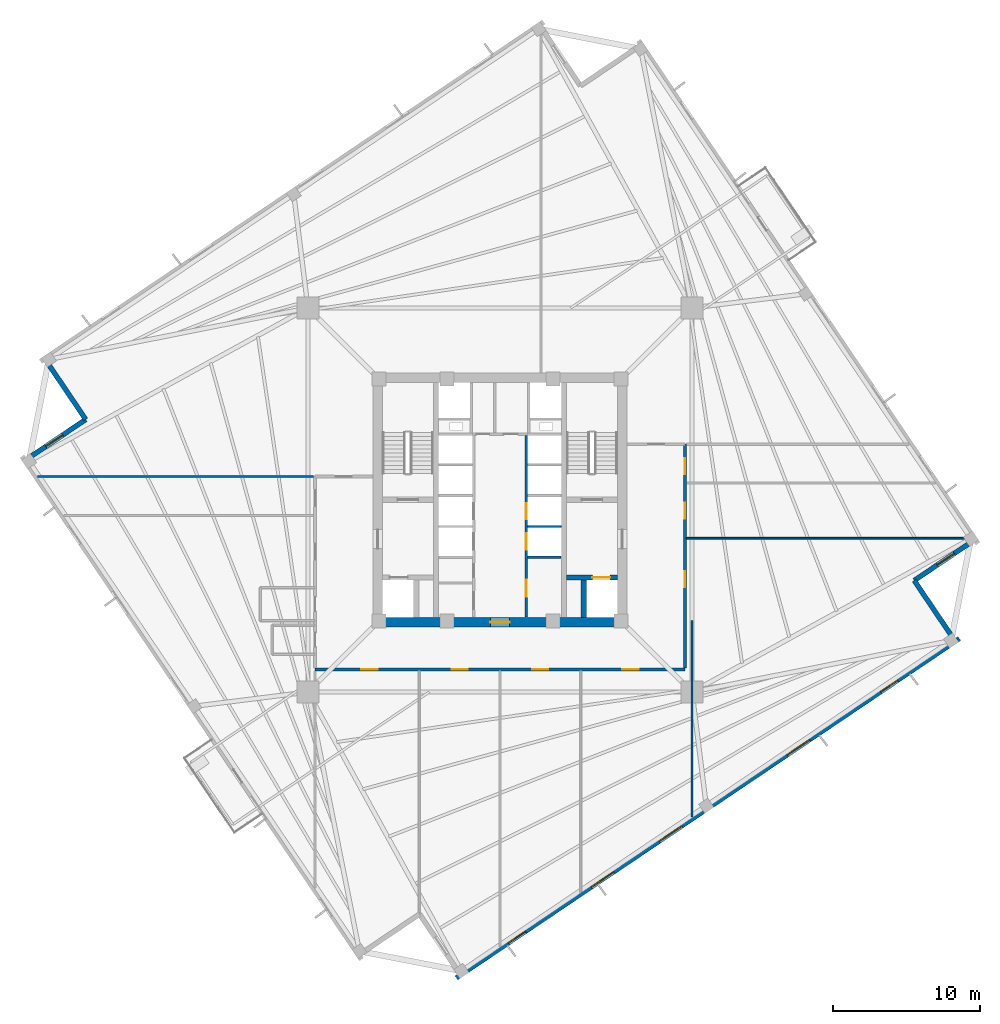
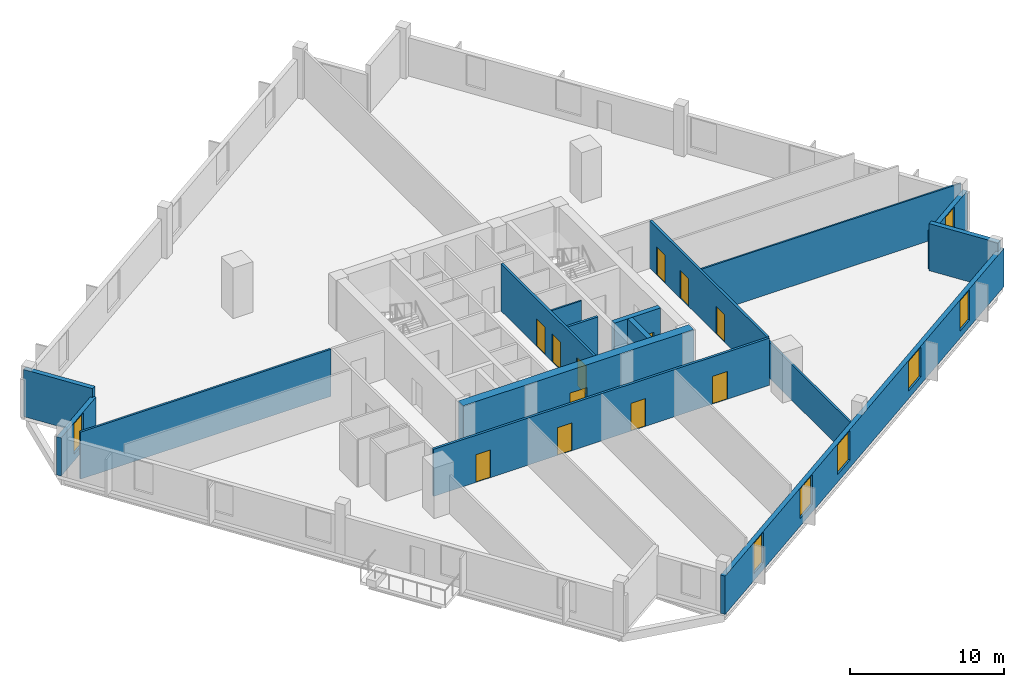
# One storey, part 4 of 9: 16 walls, 12 doors, 7 windows, 19 openings.
"""IFC4 building model written with IfcOpenShell, lengths in metres."""

from ifc_helpers import new_model, si_unit, direction, frame, frame_2d, origin, place, context, subcontext, project, spatial, rectangle, extrude, source, transform, mapped, material, layer, layer_set, type_object, element, fill, save


model = new_model("IFC4")

# Units and contexts
model_context = context("Model", 3, precision=1e-05, world=origin(), true_north=direction((0.0, 1.0)))
body_context = subcontext(model_context, "Body", "Model", "MODEL_VIEW")
ifc_project = project(units=[si_unit("LENGTHUNIT", "METRE"), si_unit("AREAUNIT", "SQUARE_METRE"), si_unit("VOLUMEUNIT", "CUBIC_METRE"), si_unit("PLANEANGLEUNIT", "RADIAN"), si_unit("MASSUNIT", "GRAM", prefix="KILO"), si_unit("THERMODYNAMICTEMPERATUREUNIT", "KELVIN")], contexts=[model_context])

# Site, building, storey
site_placement = place(None, origin())
site = spatial("IfcSite", under=ifc_project, at=site_placement, CompositionType="ELEMENT")
building_placement = place(site_placement, origin())
building = spatial("IfcBuilding", under=site, at=building_placement, Name="Kosmvard Interchange Tower", CompositionType="ELEMENT")
storey_placement = place(building_placement, frame((0.0, 0.0, 192.39990234375)))
storey = spatial("IfcBuildingStorey", under=building, at=storey_placement, Name="L46", CompositionType="ELEMENT", Elevation=192.39990234375)

# Walls
ifc_material_1 = material(Name="Acoustic gypsum partition system")
ifc_layer_1 = layer(ifc_material_1, 0.14990234375, Name="Acoustic gypsum partition system")
ifc_layer_set_1 = layer_set([ifc_layer_1], Name="Acoustic gypsum partition system")
wall_type_1 = type_object("IfcWallType", Name="Acoustic Suite & Meeting Partition 150", PredefinedType="PARTITIONING", material=ifc_layer_set_1)
wall_1_placement = place(storey_placement, frame((-31.506103515625, 1.60009765625, 0.0), z_axis=(0.0, 0.0, 1.0), x_axis=(1.0, 0.0, 0.0)))
element("IfcWall", 1, at=wall_1_placement, inside=storey, type_object=wall_type_1, Name="L46 Room Partition 03.1", PredefinedType="PARTITIONING", context=body_context, shape_type="SweptSolid", body=[
    extrude(rectangle(XDim=18.81103515625, YDim=0.14990234375, at=frame_2d((9.405517578125, 0.0))), origin(), (0.0, 0.0, 1.0), 3.739990234375),
])
wall_2_placement = place(storey_placement, frame((13.0810546875, -8.199951171875, 0.0), z_axis=(0.0, 0.0, 1.0), x_axis=(0.0, -1.0, 0.0)))
element("IfcWall", 2, at=wall_2_placement, inside=storey, type_object=wall_type_1, Name="L46 Room Partition 11.1", PredefinedType="PARTITIONING", context=body_context, shape_type="SweptSolid", body=[
    extrude(rectangle(XDim=13.403564453125, YDim=0.14990234375, at=frame_2d((6.70166015625, 0.0))), origin(), (0.0, 0.0, 1.0), 2.840087890625),
])

# Wall, openings, doors
ifc_material_2 = material(Name="Fire-rated gypsum partition system")
ifc_layer_2 = layer(ifc_material_2, 0.179931640625, Name="Fire-rated gypsum partition system")
ifc_layer_set_2 = layer_set([ifc_layer_2], Name="Fire-rated gypsum partition system")
wall_type_2 = type_object("IfcWallType", Name="Corridor & Hotel Compartment Partition 180", PredefinedType="PARTITIONING", material=ifc_layer_set_2)
wall_3_placement = place(storey_placement, frame((1.7900390625, -7.97998046875, 0.0), z_axis=(0.0, 0.0, 1.0), x_axis=(0.0, 1.0, 0.0)))
wall_3 = element("IfcWall", 3, at=wall_3_placement, inside=storey, type_object=wall_type_2, Name="L46 East Lift Bank Front Wall", PredefinedType="PARTITIONING", context=body_context, shape_type="SweptSolid", body=[
    extrude(rectangle(XDim=12.3798828125, YDim=0.179931640625, at=frame_2d((6.18994140625, 0.0))), origin(), (0.0, 0.0, 1.0), 3.739990234375),
])
opening_1_placement = place(wall_3_placement, frame((4.60009765625, 0.0, 0.0)))
opening_1 = element("IfcOpeningElement", 4, at=opening_1_placement, cuts=wall_3, Name="Opening LD-PL-M3-L46", PredefinedType="OPENING", context=body_context, shape_type="SweptSolid", body=[
    extrude(rectangle(XDim=1.10009765625, YDim=2.199951171875, at=frame_2d((0.550048828125, 1.10009765625))), frame((0.0, 0.10009765625, 0.0), z_axis=(0.0, -1.0, 0.0), x_axis=(1.0, 0.0, 0.0)), (0.0, 0.0, 1.0), 0.199951171875),
])
opening_2_placement = place(wall_3_placement, frame((6.659912109375, 0.0, 0.0)))
opening_2 = element("IfcOpeningElement", 5, at=opening_2_placement, cuts=wall_3, Name="Opening LD-PL-M4-L46", PredefinedType="OPENING", context=body_context, shape_type="SweptSolid", body=[
    extrude(rectangle(XDim=1.10009765625, YDim=2.199951171875, at=frame_2d((0.550048828125, 1.10009765625))), frame((0.0, 0.10009765625, 0.0), z_axis=(0.0, -1.0, 0.0), x_axis=(1.0, 0.0, 0.0)), (0.0, 0.0, 1.0), 0.199951171875),
])
opening_3_placement = place(wall_3_placement, frame((1.39990234375, 0.0, 0.0)))
opening_3 = element("IfcOpeningElement", 6, at=opening_3_placement, cuts=wall_3, Name="Opening L46-CD3", PredefinedType="OPENING", context=body_context, shape_type="SweptSolid", body=[
    extrude(rectangle(XDim=1.14990234375, YDim=2.25, at=frame_2d((0.574951171875, 1.125))), frame((0.0, 0.10009765625, 0.0), z_axis=(0.0, -1.0, 0.0), x_axis=(1.0, 0.0, 0.0)), (0.0, 0.0, 1.0), 0.199951171875),
])
ifc_material_3 = material(Name="Painted fire-rated steel leaf", Category="steel")
door_type_1 = type_object("IfcDoorType", Name="Plant & Riser Fire Door 1150x2250 EI60", OperationType="NOTDEFINED", PredefinedType="DOOR", material=ifc_material_3)
shared_shape_1 = source(origin(), body_context, "Body", "SweptSolid", [
    extrude(rectangle(XDim=1.14990234375, YDim=2.25, at=frame_2d((0.574951171875, 1.125))), frame((0.0, 0.02490234375, 0.0), z_axis=(0.0, -1.0, 0.0), x_axis=(1.0, 0.0, 0.0)), (0.0, 0.0, 1.0), 0.050048828125),
])
door_1_placement = place(opening_3_placement, frame((1.14990234375, 0.0, 0.0), z_axis=(0.0, 0.0, 1.0), x_axis=(-1.0, 0.0, 0.0)))
door_1 = element("IfcDoor", 7, at=door_1_placement, inside=storey, type_object=door_type_1, Name="L46 Core Telecoms Door", OperationType="SINGLE_SWING_RIGHT", OverallHeight=2.25, OverallWidth=1.14990234375, PredefinedType="DOOR", context=body_context, shape_type="MappedRepresentation", body=[
    mapped(shared_shape_1, transform((0.0, 0.0, 0.0), scale=1.0)),
])
fill(opening_3, door_1)
ifc_material_4 = material(Name="Brushed stainless steel sliding leaf", Category="steel")
door_type_2 = type_object("IfcDoorType", Name="Passenger Lift Sliding Landing Door 1100x2200 EI60", OperationType="DOUBLE_DOOR_SLIDING", PredefinedType="DOOR", material=ifc_material_4)
shared_shape_2 = source(origin(), body_context, "Body", "SweptSolid", [
    extrude(rectangle(XDim=1.10009765625, YDim=2.199951171875, at=frame_2d((0.550048828125, 1.10009765625))), frame((0.0, 0.02490234375, 0.0), z_axis=(0.0, -1.0, 0.0), x_axis=(1.0, 0.0, 0.0)), (0.0, 0.0, 1.0), 0.050048828125),
])
door_2_placement = place(opening_1_placement, origin())
door_2 = element("IfcDoor", 8, at=door_2_placement, inside=storey, type_object=door_type_2, Name="Lift PL-M3 Landing Door L46", OperationType="DOUBLE_DOOR_SLIDING", OverallHeight=2.199951171875, OverallWidth=1.10009765625, PredefinedType="DOOR", context=body_context, shape_type="MappedRepresentation", body=[
    mapped(shared_shape_2, transform((0.0, 0.0, 0.0), scale=1.0)),
])
fill(opening_1, door_2)
door_3_placement = place(opening_2_placement, origin())
door_3 = element("IfcDoor", 9, at=door_3_placement, inside=storey, type_object=door_type_2, Name="Lift PL-M4 Landing Door L46", OperationType="DOUBLE_DOOR_SLIDING", OverallHeight=2.199951171875, OverallWidth=1.10009765625, PredefinedType="DOOR", context=body_context, shape_type="MappedRepresentation", body=[
    mapped(shared_shape_2, transform((0.0, 0.0, 0.0), scale=1.0)),
])
fill(opening_2, door_3)

wall_4_placement = place(storey_placement, frame((-12.60009765625, -11.550048828125, 0.0), z_axis=(0.0, 0.0, 1.0), x_axis=(1.0, 0.0, 0.0)))
wall_4 = element("IfcWall", 10, at=wall_4_placement, inside=storey, type_object=wall_type_2, Name="L46 Corridor Wall CS", PredefinedType="PARTITIONING", context=body_context, shape_type="SweptSolid", body=[
    extrude(rectangle(XDim=25.2001953125, YDim=0.179931640625, at=frame_2d((12.60009765625, 0.0))), origin(), (0.0, 0.0, 1.0), 3.739990234375),
])
opening_4_placement = place(wall_4_placement, frame((3.16455078125, 0.0, 0.0)))
opening_4 = element("IfcOpeningElement", 11, at=opening_4_placement, cuts=wall_4, Name="Opening L46-D08", PredefinedType="OPENING", context=body_context, shape_type="SweptSolid", body=[
    extrude(rectangle(XDim=1.10009765625, YDim=2.199951171875, at=frame_2d((0.550048828125, 1.10009765625))), frame((0.0, 0.10009765625, 0.0), z_axis=(0.0, -1.0, 0.0), x_axis=(1.0, 0.0, 0.0)), (0.0, 0.0, 1.0), 0.199951171875),
])
opening_5_placement = place(wall_4_placement, frame((9.300048828125, 0.0, 0.0)))
opening_5 = element("IfcOpeningElement", 12, at=opening_5_placement, cuts=wall_4, Name="Opening L46-D09", PredefinedType="OPENING", context=body_context, shape_type="SweptSolid", body=[
    extrude(rectangle(XDim=1.10009765625, YDim=2.199951171875, at=frame_2d((0.550048828125, 1.10009765625))), frame((0.0, 0.10009765625, 0.0), z_axis=(0.0, -1.0, 0.0), x_axis=(1.0, 0.0, 0.0)), (0.0, 0.0, 1.0), 0.199951171875),
])
opening_6_placement = place(wall_4_placement, frame((14.800048828125, 0.0, 0.0)))
opening_6 = element("IfcOpeningElement", 13, at=opening_6_placement, cuts=wall_4, Name="Opening L46-D10", PredefinedType="OPENING", context=body_context, shape_type="SweptSolid", body=[
    extrude(rectangle(XDim=1.10009765625, YDim=2.199951171875, at=frame_2d((0.550048828125, 1.10009765625))), frame((0.0, 0.10009765625, 0.0), z_axis=(0.0, -1.0, 0.0), x_axis=(1.0, 0.0, 0.0)), (0.0, 0.0, 1.0), 0.199951171875),
])
opening_7_placement = place(wall_4_placement, frame((20.935546875, 0.0, 0.0)))
opening_7 = element("IfcOpeningElement", 14, at=opening_7_placement, cuts=wall_4, Name="Opening L46-D11", PredefinedType="OPENING", context=body_context, shape_type="SweptSolid", body=[
    extrude(rectangle(XDim=1.10009765625, YDim=2.199951171875, at=frame_2d((0.550048828125, 1.10009765625))), frame((0.0, 0.10009765625, 0.0), z_axis=(0.0, -1.0, 0.0), x_axis=(1.0, 0.0, 0.0)), (0.0, 0.0, 1.0), 0.199951171875),
])
ifc_material_5 = material(Name="Engineered oak fire-rated timber", Category="wood")
door_type_3 = type_object("IfcDoorType", Name="Office Suite Entrance Door 1100x2200 FD30S", OperationType="NOTDEFINED", PredefinedType="DOOR", material=ifc_material_5)
door_4_placement = place(opening_4_placement, frame((1.10009765625, 0.0, 0.0), z_axis=(0.0, 0.0, 1.0), x_axis=(-1.0, 0.0, 0.0)))
door_4 = element("IfcDoor", 15, at=door_4_placement, inside=storey, type_object=door_type_3, Name="L46 Boardroom 3 Door", OperationType="SINGLE_SWING_RIGHT", OverallHeight=2.199951171875, OverallWidth=1.10009765625, PredefinedType="DOOR", context=body_context, shape_type="MappedRepresentation", body=[
    mapped(shared_shape_2, transform((0.0, 0.0, 0.0), scale=1.0)),
])
fill(opening_4, door_4)
door_5_placement = place(opening_5_placement, frame((1.10009765625, 0.0, 0.0), z_axis=(0.0, 0.0, 1.0), x_axis=(-1.0, 0.0, 0.0)))
door_5 = element("IfcDoor", 16, at=door_5_placement, inside=storey, type_object=door_type_3, Name="L46 Seminar Room 4 Door", OperationType="SINGLE_SWING_LEFT", OverallHeight=2.199951171875, OverallWidth=1.10009765625, PredefinedType="DOOR", context=body_context, shape_type="MappedRepresentation", body=[
    mapped(shared_shape_2, transform((0.0, 0.0, 0.0), scale=1.0)),
])
fill(opening_5, door_5)
door_6_placement = place(opening_6_placement, frame((1.10009765625, 0.0, 0.0), z_axis=(0.0, 0.0, 1.0), x_axis=(-1.0, 0.0, 0.0)))
door_6 = element("IfcDoor", 17, at=door_6_placement, inside=storey, type_object=door_type_3, Name="L46 Video Briefing Room 5 Door", OperationType="SINGLE_SWING_RIGHT", OverallHeight=2.199951171875, OverallWidth=1.10009765625, PredefinedType="DOOR", context=body_context, shape_type="MappedRepresentation", body=[
    mapped(shared_shape_2, transform((0.0, 0.0, 0.0), scale=1.0)),
])
fill(opening_6, door_6)
door_7_placement = place(opening_7_placement, frame((1.10009765625, 0.0, 0.0), z_axis=(0.0, 0.0, 1.0), x_axis=(-1.0, 0.0, 0.0)))
door_7 = element("IfcDoor", 18, at=door_7_placement, inside=storey, type_object=door_type_3, Name="L46 Breakout Pantry Door", OperationType="SINGLE_SWING_LEFT", OverallHeight=2.199951171875, OverallWidth=1.10009765625, PredefinedType="DOOR", context=body_context, shape_type="MappedRepresentation", body=[
    mapped(shared_shape_2, transform((0.0, 0.0, 0.0), scale=1.0)),
])
fill(opening_7, door_7)

wall_5_placement = place(storey_placement, frame((12.60009765625, -11.449951171875, 0.0), z_axis=(0.0, 0.0, 1.0), x_axis=(0.0, 1.0, 0.0)))
wall_5 = element("IfcWall", 19, at=wall_5_placement, inside=storey, type_object=wall_type_2, Name="L46 Corridor Wall CE", PredefinedType="PARTITIONING", context=body_context, shape_type="SweptSolid", body=[
    extrude(rectangle(XDim=15.25, YDim=0.179931640625, at=frame_2d((7.625, 0.0))), origin(), (0.0, 0.0, 1.0), 3.739990234375),
])
opening_8_placement = place(wall_5_placement, frame((13.21044921875, 0.0, 0.0)))
opening_8 = element("IfcOpeningElement", 20, at=opening_8_placement, cuts=wall_5, Name="Opening L46-D06", PredefinedType="OPENING", context=body_context, shape_type="SweptSolid", body=[
    extrude(rectangle(XDim=1.10009765625, YDim=2.199951171875, at=frame_2d((0.550048828125, 1.10009765625))), frame((0.0, 0.10009765625, 0.0), z_axis=(0.0, -1.0, 0.0), x_axis=(1.0, 0.0, 0.0)), (0.0, 0.0, 1.0), 0.199951171875),
])
opening_9_placement = place(wall_5_placement, frame((5.5, 0.0, 0.0)))
opening_9 = element("IfcOpeningElement", 21, at=opening_9_placement, cuts=wall_5, Name="Opening L46-D12", PredefinedType="OPENING", context=body_context, shape_type="SweptSolid", body=[
    extrude(rectangle(XDim=1.10009765625, YDim=2.199951171875, at=frame_2d((0.550048828125, 1.10009765625))), frame((0.0, 0.10009765625, 0.0), z_axis=(0.0, -1.0, 0.0), x_axis=(1.0, 0.0, 0.0)), (0.0, 0.0, 1.0), 0.199951171875),
])
opening_10_placement = place(wall_5_placement, frame((10.175048828125, 0.0, 0.0)))
opening_10 = element("IfcOpeningElement", 22, at=opening_10_placement, cuts=wall_5, Name="Opening L46-D13", PredefinedType="OPENING", context=body_context, shape_type="SweptSolid", body=[
    extrude(rectangle(XDim=1.10009765625, YDim=2.199951171875, at=frame_2d((0.550048828125, 1.10009765625))), frame((0.0, 0.10009765625, 0.0), z_axis=(0.0, -1.0, 0.0), x_axis=(1.0, 0.0, 0.0)), (0.0, 0.0, 1.0), 0.199951171875),
])
door_8_placement = place(opening_8_placement, frame((1.10009765625, 0.0, 0.0), z_axis=(0.0, 0.0, 1.0), x_axis=(-1.0, 0.0, 0.0)))
door_8 = element("IfcDoor", 23, at=door_8_placement, inside=storey, type_object=door_type_3, Name="L46 East Port Briefing Room 2 Door", OperationType="SINGLE_SWING_RIGHT", OverallHeight=2.199951171875, OverallWidth=1.10009765625, PredefinedType="DOOR", context=body_context, shape_type="MappedRepresentation", body=[
    mapped(shared_shape_2, transform((0.0, 0.0, 0.0), scale=1.0)),
])
fill(opening_8, door_8)
door_9_placement = place(opening_9_placement, frame((1.10009765625, 0.0, 0.0), z_axis=(0.0, 0.0, 1.0), x_axis=(-1.0, 0.0, 0.0)))
door_9 = element("IfcDoor", 24, at=door_9_placement, inside=storey, type_object=door_type_3, Name="L46 Customs Archive Store Door", OperationType="SINGLE_SWING_RIGHT", OverallHeight=2.199951171875, OverallWidth=1.10009765625, PredefinedType="DOOR", context=body_context, shape_type="MappedRepresentation", body=[
    mapped(shared_shape_2, transform((0.0, 0.0, 0.0), scale=1.0)),
])
fill(opening_9, door_9)
door_10_placement = place(opening_10_placement, frame((1.10009765625, 0.0, 0.0), z_axis=(0.0, 0.0, 1.0), x_axis=(-1.0, 0.0, 0.0)))
door_10 = element("IfcDoor", 25, at=door_10_placement, inside=storey, type_object=door_type_3, Name="L46 East Trade Counsel Office Door", OperationType="SINGLE_SWING_LEFT", OverallHeight=2.199951171875, OverallWidth=1.10009765625, PredefinedType="DOOR", context=body_context, shape_type="MappedRepresentation", body=[
    mapped(shared_shape_2, transform((0.0, 0.0, 0.0), scale=1.0)),
])
fill(opening_10, door_10)

# Wall, opening, door
ifc_material_6 = material(Name="Concrete C70/85", Category="concrete")
ifc_layer_3 = layer(ifc_material_6, 0.64990234375, Name="Concrete C70/85")
ifc_layer_set_3 = layer_set([ifc_layer_3], Name="Concrete C70/85")
wall_type_3 = type_object("IfcWallType", Name="Mid Core Shear Wall 650 C70/85", PredefinedType="SHEAR", material=ifc_layer_set_3)
wall_6_placement = place(storey_placement, frame((-8.64990234375, -8.324951171875, 0.0), z_axis=(0.0, 0.0, 1.0), x_axis=(1.0, 0.0, 0.0)))
wall_6 = element("IfcWall", 26, at=wall_6_placement, inside=storey, type_object=wall_type_3, Name="L46 Core Shear Wall CW-S", PredefinedType="SHEAR", context=body_context, shape_type="SweptSolid", body=[
    extrude(rectangle(XDim=17.2998046875, YDim=0.64990234375, at=frame_2d((8.64990234375, 0.0))), origin(), (0.0, 0.0, 1.0), 4.0),
])
opening_11_placement = place(wall_6_placement, frame((8.0, 0.0, 0.0)))
opening_11 = element("IfcOpeningElement", 27, at=opening_11_placement, cuts=wall_6, Name="Opening L46-LD0", PredefinedType="OPENING", context=body_context, shape_type="SweptSolid", body=[
    extrude(rectangle(XDim=1.300048828125, YDim=2.199951171875, at=frame_2d((0.64990234375, 1.10009765625))), frame((0.0, 0.3349609375, 0.0), z_axis=(0.0, -1.0, 0.0), x_axis=(1.0, 0.0, 0.0)), (0.0, 0.0, 1.0), 0.669921875),
])
door_type_4 = type_object("IfcDoorType", Name="Firefighting Lobby Door 1300x2200 EI60", OperationType="NOTDEFINED", PredefinedType="DOOR", material=ifc_material_3)
shared_shape_3 = source(origin(), body_context, "Body", "SweptSolid", [
    extrude(rectangle(XDim=1.300048828125, YDim=2.199951171875, at=frame_2d((0.64990234375, 1.10009765625))), frame((0.0, 0.02490234375, 0.0), z_axis=(0.0, -1.0, 0.0), x_axis=(1.0, 0.0, 0.0)), (0.0, 0.0, 1.0), 0.050048828125),
])
door_11_placement = place(opening_11_placement, frame((1.300048828125, 0.0, 0.0), z_axis=(0.0, 0.0, 1.0), x_axis=(-1.0, 0.0, 0.0)))
door_11 = element("IfcDoor", 28, at=door_11_placement, inside=storey, type_object=door_type_4, Name="L46 Passenger Lift Lobby South Door", OperationType="SINGLE_SWING_LEFT", OverallHeight=2.199951171875, OverallWidth=1.300048828125, PredefinedType="DOOR", context=body_context, shape_type="MappedRepresentation", body=[
    mapped(shared_shape_3, transform((0.0, 0.0, 0.0), scale=1.0)),
])
fill(opening_11, door_11)

# Wall, openings, windows
ifc_material_7 = material(Name="Precast concrete C45/55", Category="concrete")
ifc_layer_4 = layer(ifc_material_7, 0.340087890625, Name="Precast concrete C45/55")
ifc_layer_set_4 = layer_set([ifc_layer_4], Name="Precast concrete C45/55")
wall_type_4 = type_object("IfcWallType", Name="Mid Tower Precast Pier Wall 340 C45/55", PredefinedType="STANDARD", material=ifc_layer_set_4)
wall_7_placement = place(storey_placement, frame((-2.971923828125, -32.55810546875, 0.0), z_axis=(0.0, 0.0, 1.0), x_axis=(0.829036218961, 0.559194910251, 0.0)))
wall_7 = element("IfcWall", 29, at=wall_7_placement, inside=storey, type_object=wall_type_4, Name="L46 Precast Facade Wall F-S", PredefinedType="STANDARD", context=body_context, shape_type="SweptSolid", body=[
    extrude(rectangle(XDim=41.340087890625, YDim=0.340087890625, at=frame_2d((20.669921875, 0.0))), origin(), (0.0, 0.0, 1.0), 3.0400390625),
])
opening_12_placement = place(wall_7_placement, frame((4.2607421875, 0.0, 0.56005859375)))
opening_12 = element("IfcOpeningElement", 30, at=opening_12_placement, cuts=wall_7, Name="Opening L46-W01", PredefinedType="OPENING", context=body_context, shape_type="SweptSolid", body=[
    extrude(rectangle(XDim=1.39990234375, YDim=2.39990234375, at=frame_2d((0.699951171875, 1.199951171875))), frame((0.0, 0.18017578125, 0.0), z_axis=(0.0, -1.0, 0.0), x_axis=(1.0, 0.0, 0.0)), (0.0, 0.0, 1.0), 0.360107421875),
])
opening_13_placement = place(wall_7_placement, frame((11.063720703125, 0.0, 0.610107421875)))
opening_13 = element("IfcOpeningElement", 31, at=opening_13_placement, cuts=wall_7, Name="Opening L46-W02", PredefinedType="OPENING", context=body_context, shape_type="SweptSolid", body=[
    extrude(rectangle(XDim=1.85009765625, YDim=2.35009765625, at=frame_2d((0.925048828125, 1.175048828125))), frame((0.0, 0.18017578125, 0.0), z_axis=(0.0, -1.0, 0.0), x_axis=(1.0, 0.0, 0.0)), (0.0, 0.0, 1.0), 0.360107421875),
])
opening_14_placement = place(wall_7_placement, frame((16.668212890625, 0.0, 0.610107421875)))
opening_14 = element("IfcOpeningElement", 32, at=opening_14_placement, cuts=wall_7, Name="Opening L46-W03", PredefinedType="OPENING", context=body_context, shape_type="SweptSolid", body=[
    extrude(rectangle(XDim=1.85009765625, YDim=2.35009765625, at=frame_2d((0.925048828125, 1.175048828125))), frame((0.0, 0.18017578125, 0.0), z_axis=(0.0, -1.0, 0.0), x_axis=(1.0, 0.0, 0.0)), (0.0, 0.0, 1.0), 0.360107421875),
])
opening_15_placement = place(wall_7_placement, frame((27.186279296875, 0.0, 0.610107421875)))
opening_15 = element("IfcOpeningElement", 33, at=opening_15_placement, cuts=wall_7, Name="Opening L46-W04", PredefinedType="OPENING", context=body_context, shape_type="SweptSolid", body=[
    extrude(rectangle(XDim=1.85009765625, YDim=2.35009765625, at=frame_2d((0.925048828125, 1.175048828125))), frame((0.0, 0.18017578125, 0.0), z_axis=(0.0, -1.0, 0.0), x_axis=(1.0, 0.0, 0.0)), (0.0, 0.0, 1.0), 0.360107421875),
])
opening_16_placement = place(wall_7_placement, frame((34.852294921875, 0.0, 0.56005859375)))
opening_16 = element("IfcOpeningElement", 34, at=opening_16_placement, cuts=wall_7, Name="Opening L46-W05", PredefinedType="OPENING", context=body_context, shape_type="SweptSolid", body=[
    extrude(rectangle(XDim=1.39990234375, YDim=2.39990234375, at=frame_2d((0.699951171875, 1.199951171875))), frame((0.0, 0.18017578125, 0.0), z_axis=(0.0, -1.0, 0.0), x_axis=(1.0, 0.0, 0.0)), (0.0, 0.0, 1.0), 0.360107421875),
])
ifc_material_8 = material(Name="Low-E solar-control double glazing", Category="glass")
window_type_1 = type_object("IfcWindowType", Name="Notched Corner Feature Window 1400x2400", PartitioningType="SINGLE_PANEL", PredefinedType="WINDOW", material=ifc_material_8)
shared_shape_4 = source(origin(), body_context, "Body", "SweptSolid", [
    extrude(rectangle(XDim=1.39990234375, YDim=2.39990234375, at=frame_2d((0.699951171875, 1.199951171875))), frame((0.0, 0.030029296875, 0.0), z_axis=(0.0, -1.0, 0.0), x_axis=(1.0, 0.0, 0.0)), (0.0, 0.0, 1.0), 0.06005859375),
])
window_1_placement = place(opening_12_placement, origin())
window_1 = element("IfcWindow", 35, at=window_1_placement, inside=storey, type_object=window_type_1, Name="L46 Facade Punched Window 01", OverallHeight=2.39990234375, OverallWidth=1.39990234375, PartitioningType="SINGLE_PANEL", PredefinedType="WINDOW", context=body_context, shape_type="MappedRepresentation", body=[
    mapped(shared_shape_4, transform((0.0, 0.0, 0.0), scale=1.0)),
])
fill(opening_12, window_1)
window_2_placement = place(opening_16_placement, origin())
window_2 = element("IfcWindow", 36, at=window_2_placement, inside=storey, type_object=window_type_1, Name="L46 Facade Punched Window 05", OverallHeight=2.39990234375, OverallWidth=1.39990234375, PartitioningType="SINGLE_PANEL", PredefinedType="WINDOW", context=body_context, shape_type="MappedRepresentation", body=[
    mapped(shared_shape_4, transform((0.0, 0.0, 0.0), scale=1.0)),
])
fill(opening_16, window_2)
window_type_2 = type_object("IfcWindowType", Name="Zone 3 Office Punched Window 1850x2350", PartitioningType="SINGLE_PANEL", PredefinedType="WINDOW", material=ifc_material_8)
shared_shape_5 = source(origin(), body_context, "Body", "SweptSolid", [
    extrude(rectangle(XDim=1.85009765625, YDim=2.35009765625, at=frame_2d((0.925048828125, 1.175048828125))), frame((0.0, 0.030029296875, 0.0), z_axis=(0.0, -1.0, 0.0), x_axis=(1.0, 0.0, 0.0)), (0.0, 0.0, 1.0), 0.06005859375),
])
window_3_placement = place(opening_13_placement, origin())
window_3 = element("IfcWindow", 37, at=window_3_placement, inside=storey, type_object=window_type_2, Name="L46 Facade Punched Window 02", OverallHeight=2.35009765625, OverallWidth=1.85009765625, PartitioningType="SINGLE_PANEL", PredefinedType="WINDOW", context=body_context, shape_type="MappedRepresentation", body=[
    mapped(shared_shape_5, transform((0.0, 0.0, 0.0), scale=1.0)),
])
fill(opening_13, window_3)
window_4_placement = place(opening_14_placement, origin())
window_4 = element("IfcWindow", 38, at=window_4_placement, inside=storey, type_object=window_type_2, Name="L46 Facade Punched Window 03", OverallHeight=2.35009765625, OverallWidth=1.85009765625, PartitioningType="SINGLE_PANEL", PredefinedType="WINDOW", context=body_context, shape_type="MappedRepresentation", body=[
    mapped(shared_shape_5, transform((0.0, 0.0, 0.0), scale=1.0)),
])
fill(opening_14, window_4)
window_5_placement = place(opening_15_placement, origin())
window_5 = element("IfcWindow", 39, at=window_5_placement, inside=storey, type_object=window_type_2, Name="L46 Facade Punched Window 04", OverallHeight=2.35009765625, OverallWidth=1.85009765625, PartitioningType="SINGLE_PANEL", PredefinedType="WINDOW", context=body_context, shape_type="MappedRepresentation", body=[
    mapped(shared_shape_5, transform((0.0, 0.0, 0.0), scale=1.0)),
])
fill(opening_15, window_5)

# Wall
wall_8_placement = place(storey_placement, frame((31.018798828125, -9.631103515625, 0.0), z_axis=(0.0, 0.0, 1.0), x_axis=(-0.559210350234, 0.829025804298, 0.0)))
element("IfcWall", 40, at=wall_8_placement, inside=storey, type_object=wall_type_4, Name="L46 Precast Facade Wall N-SE1", PredefinedType="STANDARD", context=body_context, shape_type="SweptSolid", body=[
    extrude(rectangle(XDim=5.000244140625, YDim=0.340087890625, at=frame_2d((2.5, 0.0))), origin(), (0.0, 0.0, 1.0), 3.739990234375),
])

# Wall, opening, window
wall_9_placement = place(storey_placement, frame((28.22265625, -5.48583984375, 0.0), z_axis=(0.0, 0.0, 1.0), x_axis=(0.82905227345, 0.559171107879, 0.0)))
wall_9 = element("IfcWall", 41, at=wall_9_placement, inside=storey, type_object=wall_type_4, Name="L46 Precast Facade Wall N-SE2", PredefinedType="STANDARD", context=body_context, shape_type="SweptSolid", body=[
    extrude(rectangle(XDim=5.169921875, YDim=0.340087890625, at=frame_2d((2.5849609375, 0.0))), origin(), (0.0, 0.0, 1.0), 3.0400390625),
])
opening_17_placement = place(wall_9_placement, frame((1.885009765625, 0.0, 0.56005859375)))
opening_17 = element("IfcOpeningElement", 42, at=opening_17_placement, cuts=wall_9, Name="Opening L46-W21", PredefinedType="OPENING", context=body_context, shape_type="SweptSolid", body=[
    extrude(rectangle(XDim=1.39990234375, YDim=2.39990234375, at=frame_2d((0.699951171875, 1.199951171875))), frame((0.0, 0.18017578125, 0.0), z_axis=(0.0, -1.0, 0.0), x_axis=(1.0, 0.0, 0.0)), (0.0, 0.0, 1.0), 0.360107421875),
])
window_6_placement = place(opening_17_placement, origin())
window_6 = element("IfcWindow", 43, at=window_6_placement, inside=storey, type_object=window_type_1, Name="L46 Corner Notch Window 21", OverallHeight=2.39990234375, OverallWidth=1.39990234375, PartitioningType="SINGLE_PANEL", PredefinedType="WINDOW", context=body_context, shape_type="MappedRepresentation", body=[
    mapped(shared_shape_4, transform((0.0, 0.0, 0.0), scale=1.0)),
])
fill(opening_17, window_6)

# Wall
wall_10_placement = place(storey_placement, frame((-31.018798828125, 9.631103515625, 0.0), z_axis=(0.0, 0.0, 1.0), x_axis=(0.559210350234, -0.829025804298, 0.0)))
element("IfcWall", 44, at=wall_10_placement, inside=storey, type_object=wall_type_4, Name="L46 Precast Facade Wall N-NW1", PredefinedType="STANDARD", context=body_context, shape_type="SweptSolid", body=[
    extrude(rectangle(XDim=5.000244140625, YDim=0.340087890625, at=frame_2d((2.5, 0.0))), origin(), (0.0, 0.0, 1.0), 3.739990234375),
])

# Wall, opening, window
wall_11_placement = place(storey_placement, frame((-28.22265625, 5.48583984375, 0.0), z_axis=(0.0, 0.0, 1.0), x_axis=(-0.82905227345, -0.559171107879, 0.0)))
wall_11 = element("IfcWall", 45, at=wall_11_placement, inside=storey, type_object=wall_type_4, Name="L46 Precast Facade Wall N-NW2", PredefinedType="STANDARD", context=body_context, shape_type="SweptSolid", body=[
    extrude(rectangle(XDim=5.169921875, YDim=0.340087890625, at=frame_2d((2.5849609375, 0.0))), origin(), (0.0, 0.0, 1.0), 3.0400390625),
])
opening_18_placement = place(wall_11_placement, frame((1.885009765625, 0.0, 0.56005859375)))
opening_18 = element("IfcOpeningElement", 46, at=opening_18_placement, cuts=wall_11, Name="Opening L46-W23", PredefinedType="OPENING", context=body_context, shape_type="SweptSolid", body=[
    extrude(rectangle(XDim=1.39990234375, YDim=2.39990234375, at=frame_2d((0.699951171875, 1.199951171875))), frame((0.0, 0.18017578125, 0.0), z_axis=(0.0, -1.0, 0.0), x_axis=(1.0, 0.0, 0.0)), (0.0, 0.0, 1.0), 0.360107421875),
])
window_7_placement = place(opening_18_placement, origin())
window_7 = element("IfcWindow", 47, at=window_7_placement, inside=storey, type_object=window_type_1, Name="L46 Corner Notch Window 23", OverallHeight=2.39990234375, OverallWidth=1.39990234375, PartitioningType="SINGLE_PANEL", PredefinedType="WINDOW", context=body_context, shape_type="MappedRepresentation", body=[
    mapped(shared_shape_4, transform((0.0, 0.0, 0.0), scale=1.0)),
])
fill(opening_18, window_7)

# Walls
ifc_material_9 = material(Name="Gypsum board partition system")
ifc_layer_5 = layer(ifc_material_9, 0.1201171875, Name="Gypsum board partition system")
ifc_layer_set_5 = layer_set([ifc_layer_5], Name="Gypsum board partition system")
wall_type_5 = type_object("IfcWallType", Name="Office Cellular Partition 120", PredefinedType="PARTITIONING", material=ifc_layer_set_5)
wall_12_placement = place(storey_placement, frame((12.695068359375, -2.60009765625, 0.0), z_axis=(0.0, 0.0, 1.0), x_axis=(1.0, 0.0, 0.0)))
element("IfcWall", 48, at=wall_12_placement, inside=storey, type_object=wall_type_5, Name="L46 Room Partition 12.1", PredefinedType="PARTITIONING", context=body_context, shape_type="SweptSolid", body=[
    extrude(rectangle(XDim=19.485595703125, YDim=0.1201171875, at=frame_2d((9.74267578125, 0.0))), origin(), (0.0, 0.0, 1.0), 3.739990234375),
])
ifc_material_10 = material(Name="Concrete blockwork masonry", Category="masonry")
ifc_layer_6 = layer(ifc_material_10, 0.179931640625, Name="Concrete blockwork masonry")
ifc_layer_set_6 = layer_set([ifc_layer_6], Name="Concrete blockwork masonry")
wall_type_6 = type_object("IfcWallType", Name="Riser & Lift Bank Divider Wall 180", PredefinedType="PARTITIONING", material=ifc_layer_set_6)
wall_13_placement = place(storey_placement, frame((1.889892578125, -3.89990234375, 0.0), z_axis=(0.0, 0.0, 1.0), x_axis=(1.0, 0.0, 0.0)))
element("IfcWall", 49, at=wall_13_placement, inside=storey, type_object=wall_type_6, Name="L46 East Bank Divider BD1", PredefinedType="PARTITIONING", context=body_context, shape_type="SweptSolid", body=[
    extrude(rectangle(XDim=2.280029296875, YDim=0.179931640625, at=frame_2d((1.14013671875, 0.0))), origin(), (0.0, 0.0, 1.0), 3.739990234375),
])
ifc_material_11 = material(Name="Fire-rated gypsum shaftwall system")
ifc_layer_7 = layer(ifc_material_11, 0.1201171875, Name="Fire-rated gypsum shaftwall system")
ifc_layer_set_7 = layer_set([ifc_layer_7], Name="Fire-rated gypsum shaftwall system")
wall_type_7 = type_object("IfcWallType", Name="Shaft & Riser Fire Partition 120 EI60", PredefinedType="PARTITIONING", material=ifc_layer_set_7)
wall_14_placement = place(storey_placement, frame((1.89990234375, -1.800048828125, 0.0), z_axis=(0.0, 0.0, 1.0), x_axis=(1.0, 0.0, 0.0)))
element("IfcWall", 50, at=wall_14_placement, inside=storey, type_object=wall_type_7, Name="L46 Shaft Divider PL-M3", PredefinedType="PARTITIONING", context=body_context, shape_type="SweptSolid", body=[
    extrude(rectangle(XDim=2.260009765625, YDim=0.1201171875, at=frame_2d((1.1298828125, 0.0))), origin(), (0.0, 0.0, 1.0), 3.739990234375),
])

# Wall, opening, door
ifc_material_12 = material(Name="Concrete C60/75", Category="concrete")
ifc_layer_8 = layer(ifc_material_12, 0.360107421875, Name="Concrete C60/75")
ifc_layer_set_8 = layer_set([ifc_layer_8], Name="Concrete C60/75")
wall_type_8 = type_object("IfcWallType", Name="Stair & Lift Shaft Shear Wall 360 C60/75", PredefinedType="SHEAR", material=ifc_layer_set_8)
wall_15_placement = place(storey_placement, frame((4.5400390625, -5.280029296875, 0.0), z_axis=(0.0, 0.0, 1.0), x_axis=(1.0, 0.0, 0.0)))
wall_15 = element("IfcWall", 51, at=wall_15_placement, inside=storey, type_object=wall_type_8, Name="L46 Shaft Shear Wall SW-FF2", PredefinedType="SHEAR", context=body_context, shape_type="SweptSolid", body=[
    extrude(rectangle(XDim=3.4599609375, YDim=0.360107421875, at=frame_2d((1.72998046875, 0.0))), origin(), (0.0, 0.0, 1.0), 4.0),
])
opening_19_placement = place(wall_15_placement, frame((1.760009765625, 0.0, 0.0)))
opening_19 = element("IfcOpeningElement", 52, at=opening_19_placement, cuts=wall_15, Name="Opening LD-FF-2-L46", PredefinedType="OPENING", context=body_context, shape_type="SweptSolid", body=[
    extrude(rectangle(XDim=1.199951171875, YDim=2.25, at=frame_2d((0.60009765625, 1.125))), frame((0.0, 0.18994140625, 0.0), z_axis=(0.0, -1.0, 0.0), x_axis=(1.0, 0.0, 0.0)), (0.0, 0.0, 1.0), 0.380126953125),
])
door_type_5 = type_object("IfcDoorType", Name="Firefighting Lift Sliding Landing Door 1200x2250 EI120", OperationType="DOUBLE_DOOR_SLIDING", PredefinedType="DOOR", material=ifc_material_4)
shared_shape_6 = source(origin(), body_context, "Body", "SweptSolid", [
    extrude(rectangle(XDim=1.199951171875, YDim=2.25, at=frame_2d((0.60009765625, 1.125))), frame((0.0, 0.02490234375, 0.0), z_axis=(0.0, -1.0, 0.0), x_axis=(1.0, 0.0, 0.0)), (0.0, 0.0, 1.0), 0.050048828125),
])
door_12_placement = place(opening_19_placement, origin())
door_12 = element("IfcDoor", 53, at=door_12_placement, inside=storey, type_object=door_type_5, Name="Lift FF-2 Landing Door L46", OperationType="DOUBLE_DOOR_SLIDING", OverallHeight=2.25, OverallWidth=1.199951171875, PredefinedType="DOOR", context=body_context, shape_type="MappedRepresentation", body=[
    mapped(shared_shape_6, transform((0.0, 0.0, 0.0), scale=1.0)),
])
fill(opening_19, door_12)

# Wall
wall_16_placement = place(storey_placement, frame((5.7099609375, -8.0, 0.0), z_axis=(0.0, 0.0, 1.0), x_axis=(0.0, 1.0, 0.0)))
element("IfcWall", 54, at=wall_16_placement, inside=storey, type_object=wall_type_8, Name="L46 Shaft Shear Wall SW-SM2", PredefinedType="SHEAR", context=body_context, shape_type="SweptSolid", body=[
    extrude(rectangle(XDim=2.5400390625, YDim=0.360107421875, at=frame_2d((1.27001953125, 0.0))), origin(), (0.0, 0.0, 1.0), 4.0),
])

save(model, "model.ifc")
